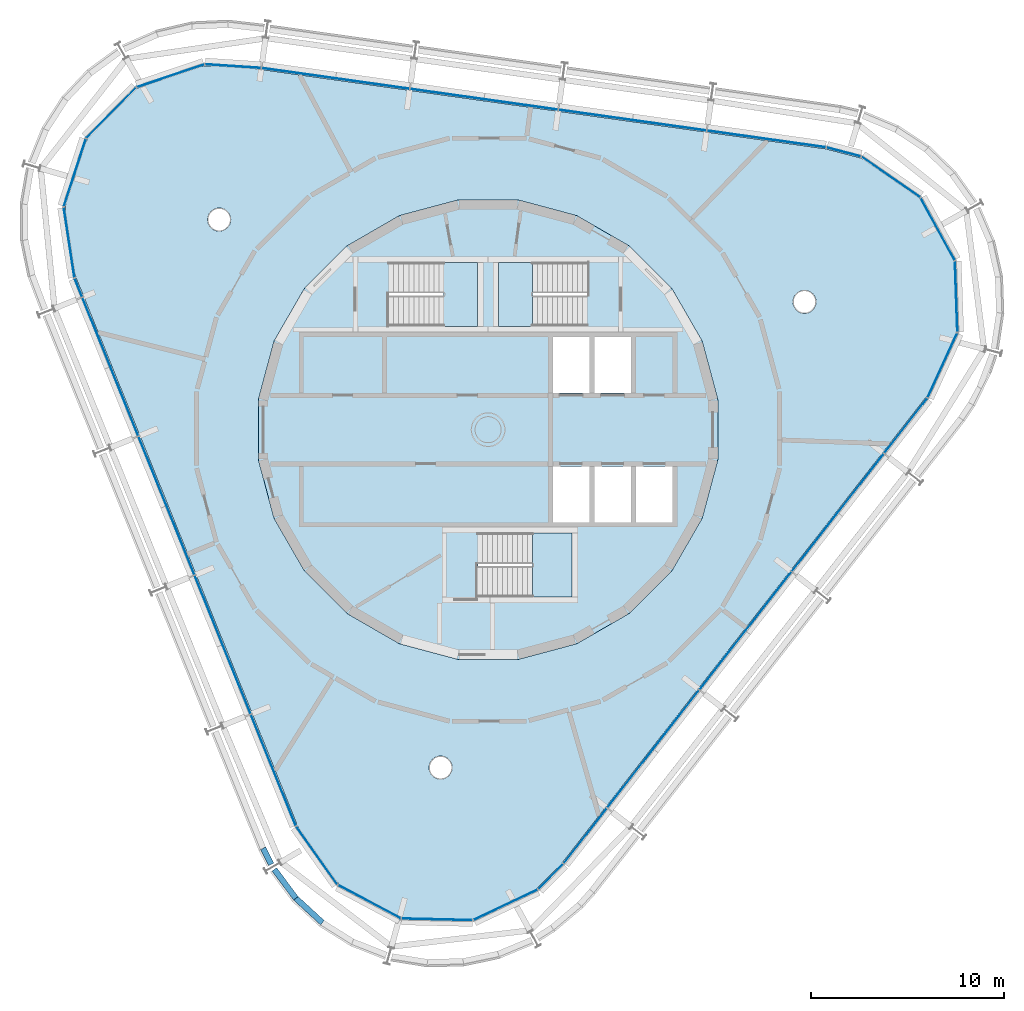
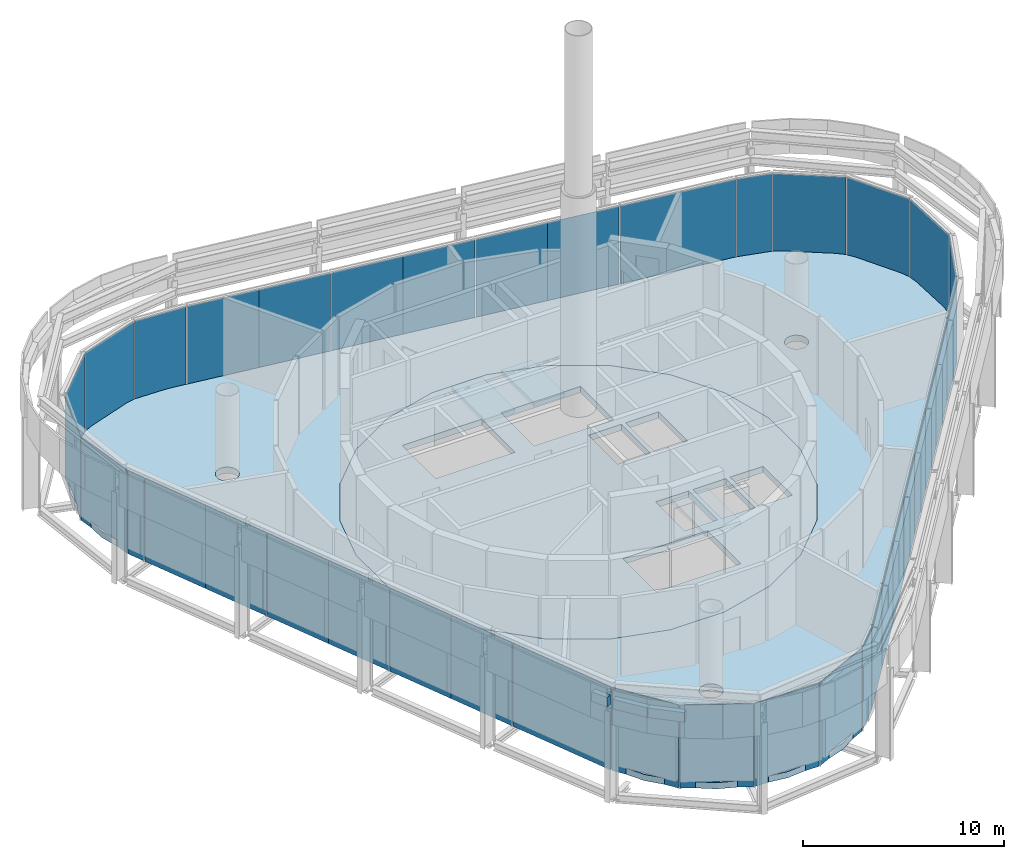
# One storey, part 8 of 15: 38 plates, 5 slabs, 3 walls, 9 elements without a shape of their own.
"""IFC4 building model written with IfcOpenShell, lengths in metres."""

from ifc_helpers import new_model, si_unit, direction, frame, frame_2d, origin, origin_2d, place, context, subcontext, project, spatial, polyline, rectangle, outline, extrude, material, layer, layer_set, type_object, element, aggregate, save


model = new_model("IFC4")

# Units and contexts
model_context = context("Model", 3, precision=1e-05, world=origin(), true_north=direction((0.0, 1.0)))
body_context = subcontext(model_context, "Body", "Model", "MODEL_VIEW")
ifc_project = project(units=[si_unit("LENGTHUNIT", "METRE"), si_unit("AREAUNIT", "SQUARE_METRE"), si_unit("VOLUMEUNIT", "CUBIC_METRE"), si_unit("PLANEANGLEUNIT", "RADIAN"), si_unit("MASSUNIT", "GRAM", prefix="KILO")], contexts=[model_context])

# Site, building, storey
site_placement = place(None, origin())
site = spatial("IfcSite", under=ifc_project, at=site_placement, CompositionType="ELEMENT")
building_placement = place(site_placement, origin())
building = spatial("IfcBuilding", under=site, at=building_placement, Name="Spindle Arch Residences", CompositionType="ELEMENT")
storey_placement = place(building_placement, frame((0.0, 0.0, 366.199951171875)))
storey = spatial("IfcBuildingStorey", under=building, at=storey_placement, Name="L94", CompositionType="ELEMENT", Elevation=366.199951171875)

# Slab
ifc_material_1 = material(Name="Concrete C50/60", Category="concrete")
ifc_layer_1 = layer(ifc_material_1, 0.3798828125)
ifc_layer_set_1 = layer_set([ifc_layer_1], Name="Core floor slab 380")
slab_type_1 = type_object("IfcSlabType", Name="Core floor slab 380", PredefinedType="FLOOR", material=ifc_layer_set_1)
slab_1_placement = place(storey_placement, frame((0.0, 0.0, -0.3798828125)))
element("IfcSlab", 1, at=slab_1_placement, inside=storey, type_object=slab_type_1, Name="Core floor L94", PredefinedType="FLOOR", context=body_context, shape_type="SweptSolid", body=[
    extrude(outline(polyline([(1.56640625, -11.897216796875), (4.59228515625, -11.086669921875), (7.30517578125, -9.520263671875), (9.520263671875, -7.30517578125), (11.086669921875, -4.59228515625), (11.897216796875, -1.56640625), (11.897216796875, 1.56640625), (11.086669921875, 4.59228515625), (9.520263671875, 7.30517578125), (7.30517578125, 9.520263671875), (4.59228515625, 11.086669921875), (1.56640625, 11.897216796875), (-1.56640625, 11.897216796875), (-4.59228515625, 11.086669921875), (-7.30517578125, 9.520263671875), (-9.520263671875, 7.30517578125), (-11.086669921875, 4.59228515625), (-11.897216796875, 1.56640625), (-11.897216796875, -1.56640625), (-11.086669921875, -4.59228515625), (-9.520263671875, -7.30517578125), (-7.30517578125, -9.520263671875), (-4.59228515625, -11.086669921875), (-1.56640625, -11.897216796875), (1.56640625, -11.897216796875)]), holes=[polyline([(3.35009765625, 1.89990234375), (5.25, 1.89990234375), (5.25, 4.800048828125), (3.35009765625, 4.800048828125), (3.35009765625, 1.89990234375)]), polyline([(5.5, 1.89990234375), (7.39990234375, 1.89990234375), (7.39990234375, 4.800048828125), (5.5, 4.800048828125), (5.5, 1.89990234375)]), polyline([(3.35009765625, -4.800048828125), (5.25, -4.800048828125), (5.25, -1.89990234375), (3.35009765625, -1.89990234375), (3.35009765625, -4.800048828125)]), polyline([(5.5, -4.800048828125), (7.39990234375, -4.800048828125), (7.39990234375, -1.89990234375), (5.5, -1.89990234375), (5.5, -4.800048828125)]), polyline([(7.64990234375, -4.800048828125), (9.550048828125, -4.800048828125), (9.550048828125, -1.89990234375), (7.64990234375, -1.89990234375), (7.64990234375, -4.800048828125)]), polyline([(5.1298828125, 8.669921875), (0.550048828125, 8.669921875), (0.550048828125, 5.35009765625), (5.1298828125, 5.35009765625), (5.1298828125, 8.669921875)]), polyline([(-5.1298828125, 5.35009765625), (-0.550048828125, 5.35009765625), (-0.550048828125, 8.669921875), (-5.1298828125, 8.669921875), (-5.1298828125, 5.35009765625)]), polyline([(-0.530029296875, -8.669921875), (4.35009765625, -8.669921875), (4.35009765625, -5.35009765625), (-0.530029296875, -5.35009765625), (-0.530029296875, -8.669921875)])]), origin(), (0.0, 0.0, 1.0), 0.3798828125),
])

# Stair, slab
ifc_material_2 = material(Name="Concrete C50/60", Category="concrete")
stair_type = type_object("IfcStairType", Name="Exit stair 24 risers", PredefinedType="HALF_TURN_STAIR", material=ifc_material_2)
stair_1_placement = place(storey_placement, origin())
stair_1 = element("IfcStair", 2, at=stair_1_placement, inside=storey, type_object=stair_type, Name="L94 Exit stair ST1", PredefinedType="HALF_TURN_STAIR")
ifc_material_3 = material(Name="Concrete C50/60", Category="concrete")
ifc_layer_2 = layer(ifc_material_3, 0.219970703125)
ifc_layer_set_2 = layer_set([ifc_layer_2], Name="Exit stair landing 220")
slab_type_2 = type_object("IfcSlabType", Name="Exit stair landing 220", PredefinedType="LANDING", material=ifc_layer_set_2)
slab_2_placement = place(storey_placement, frame((0.0, 0.0, 2.380126953125)))
slab_2 = element("IfcSlab", 3, at=slab_2_placement, type_object=slab_type_2, Name="ST1 landing 1", PredefinedType="LANDING", context=body_context, shape_type="SweptSolid", body=[
    extrude(outline(polyline([(2.31005859375, 8.669921875), (0.550048828125, 8.669921875), (0.550048828125, 5.35009765625), (2.31005859375, 5.35009765625), (2.31005859375, 8.669921875)])), origin(), (0.0, 0.0, 1.0), 0.219970703125),
])
aggregate(stair_1, [slab_2])

stair_2_placement = place(storey_placement, origin())
stair_2 = element("IfcStair", 4, at=stair_2_placement, inside=storey, type_object=stair_type, Name="L94 Exit stair ST2", PredefinedType="HALF_TURN_STAIR")
slab_3_placement = place(storey_placement, frame((0.0, 0.0, 2.380126953125)))
slab_3 = element("IfcSlab", 5, at=slab_3_placement, type_object=slab_type_2, Name="ST2 landing 1", PredefinedType="LANDING", context=body_context, shape_type="SweptSolid", body=[
    extrude(outline(polyline([(-2.31005859375, 5.35009765625), (-0.550048828125, 5.35009765625), (-0.550048828125, 8.669921875), (-2.31005859375, 8.669921875), (-2.31005859375, 5.35009765625)])), origin(), (0.0, 0.0, 1.0), 0.219970703125),
])
aggregate(stair_2, [slab_3])

stair_3_placement = place(storey_placement, origin())
stair_3 = element("IfcStair", 6, at=stair_3_placement, inside=storey, type_object=stair_type, Name="L94 Exit stair ST3", PredefinedType="HALF_TURN_STAIR")
slab_4_placement = place(storey_placement, frame((0.0, 0.0, 2.380126953125)))
slab_4 = element("IfcSlab", 7, at=slab_4_placement, type_object=slab_type_2, Name="ST3 landing 1", PredefinedType="LANDING", context=body_context, shape_type="SweptSolid", body=[
    extrude(outline(polyline([(2.2900390625, -8.669921875), (4.35009765625, -8.669921875), (4.35009765625, -5.35009765625), (2.2900390625, -5.35009765625), (2.2900390625, -8.669921875)])), origin(), (0.0, 0.0, 1.0), 0.219970703125),
])
aggregate(stair_3, [slab_4])

# Slab
ifc_material_4 = material(Name="Concrete C40/50", Category="concrete")
ifc_layer_3 = layer(ifc_material_4, 0.3798828125)
ifc_layer_set_3 = layer_set([ifc_layer_3], Name="Floor slab 380")
slab_type_3 = type_object("IfcSlabType", Name="Floor slab 380", PredefinedType="FLOOR", material=ifc_layer_set_3)
slab_5_placement = place(storey_placement, frame((0.0, 0.0, -0.3798828125)))
element("IfcSlab", 8, at=slab_5_placement, inside=storey, type_object=slab_type_3, Name="Floor slab L94", PredefinedType="FLOOR", context=body_context, shape_type="SweptSolid", body=[
    extrude(outline(polyline([(2.5380859375, -23.751220703125), (0.962890625, -24.735595703125), (-0.796875, -25.330078125), (-2.646240234375, -25.502685546875), (-4.485595703125, -25.244140625), (-6.2158203125, -24.568359375), (-7.74365234375, -23.511962890625), (-8.986572265625, -22.131591796875), (-9.877685546875, -20.501708984375), (-21.346923828125, 7.885986328125), (-21.838134765625, 9.677490234375), (-21.903076171875, 11.53369140625), (-21.5380859375, 13.35498046875), (-20.7626953125, 15.043212890625), (-19.619140625, 16.5068359375), (-18.1689453125, 17.667236328125), (-16.489990234375, 18.462158203125), (-14.673095703125, 18.848388671875), (-12.816162109375, 18.80517578125), (17.503173828125, 14.5439453125), (19.300048828125, 14.07373046875), (20.940185546875, 13.20166015625), (22.334716796875, 11.974853515625), (23.4091796875, 10.459716796875), (24.10498046875, 8.7373046875), (24.384765625, 6.901123046875), (24.233642578125, 5.0498046875), (23.65966796875, 3.283203125), (22.69384765625, 1.696533203125), (13.268798828125, -10.36669921875), (3.843994140625, -22.43017578125), (2.5380859375, -23.751220703125)]), holes=[polyline([(7.30517578125, -9.520263671875), (9.520263671875, -7.30517578125), (11.086669921875, -4.59228515625), (11.897216796875, -1.56640625), (11.897216796875, 1.56640625), (11.086669921875, 4.59228515625), (9.520263671875, 7.30517578125), (7.30517578125, 9.520263671875), (4.59228515625, 11.086669921875), (1.56640625, 11.897216796875), (-1.56640625, 11.897216796875), (-4.59228515625, 11.086669921875), (-7.30517578125, 9.520263671875), (-9.520263671875, 7.30517578125), (-11.086669921875, 4.59228515625), (-11.897216796875, 1.56640625), (-11.897216796875, -1.56640625), (-11.086669921875, -4.59228515625), (-9.520263671875, -7.30517578125), (-7.30517578125, -9.520263671875), (-4.59228515625, -11.086669921875), (-1.56640625, -11.897216796875), (1.56640625, -11.897216796875), (4.59228515625, -11.086669921875), (7.30517578125, -9.520263671875)]), polyline([(-1.961181640625, -17.838134765625), (-1.90576171875, -17.734375), (-1.87158203125, -17.621826171875), (-1.860107421875, -17.5048828125), (-1.87158203125, -17.3876953125), (-1.90576171875, -17.275146484375), (-1.961181640625, -17.17138671875), (-2.035888671875, -17.08056640625), (-2.126708984375, -17.005859375), (-2.23046875, -16.950439453125), (-2.343017578125, -16.916259765625), (-2.460205078125, -16.90478515625), (-2.5771484375, -16.916259765625), (-2.689697265625, -16.950439453125), (-2.79345703125, -17.005859375), (-2.884521484375, -17.08056640625), (-2.958984375, -17.17138671875), (-3.014404296875, -17.275146484375), (-3.048583984375, -17.3876953125), (-3.06005859375, -17.5048828125), (-3.048583984375, -17.621826171875), (-3.014404296875, -17.734375), (-2.958984375, -17.838134765625), (-2.884521484375, -17.92919921875), (-2.79345703125, -18.003662109375), (-2.689697265625, -18.05908203125), (-2.5771484375, -18.09326171875), (-2.460205078125, -18.104736328125), (-2.343017578125, -18.09326171875), (-2.23046875, -18.05908203125), (-2.126708984375, -18.003662109375), (-2.035888671875, -17.92919921875), (-1.961181640625, -17.838134765625)]), polyline([(-13.505126953125, 10.458740234375), (-13.4306640625, 10.5498046875), (-13.375244140625, 10.6533203125), (-13.341064453125, 10.765869140625), (-13.32958984375, 10.883056640625), (-13.341064453125, 11.0), (-13.375244140625, 11.112548828125), (-13.4306640625, 11.21630859375), (-13.505126953125, 11.307373046875), (-13.59619140625, 11.3818359375), (-13.699951171875, 11.437255859375), (-13.8125, 11.471435546875), (-13.929443359375, 11.48291015625), (-14.046630859375, 11.471435546875), (-14.1591796875, 11.437255859375), (-14.2626953125, 11.3818359375), (-14.353759765625, 11.307373046875), (-14.428466796875, 11.21630859375), (-14.48388671875, 11.112548828125), (-14.51806640625, 11.0), (-14.529541015625, 10.883056640625), (-14.51806640625, 10.765869140625), (-14.48388671875, 10.6533203125), (-14.428466796875, 10.5498046875), (-14.353759765625, 10.458740234375), (-14.2626953125, 10.384033203125), (-14.1591796875, 10.32861328125), (-14.046630859375, 10.29443359375), (-13.929443359375, 10.282958984375), (-13.8125, 10.29443359375), (-13.699951171875, 10.32861328125), (-13.59619140625, 10.384033203125), (-13.505126953125, 10.458740234375)]), polyline([(16.81396484375, 6.197509765625), (16.888671875, 6.28857421875), (16.944091796875, 6.392333984375), (16.978271484375, 6.5048828125), (16.98974609375, 6.621826171875), (16.978271484375, 6.739013671875), (16.944091796875, 6.8515625), (16.888671875, 6.955078125), (16.81396484375, 7.046142578125), (16.722900390625, 7.120849609375), (16.619384765625, 7.17626953125), (16.5068359375, 7.21044921875), (16.3896484375, 7.221923828125), (16.272705078125, 7.21044921875), (16.16015625, 7.17626953125), (16.056396484375, 7.120849609375), (15.96533203125, 7.046142578125), (15.890869140625, 6.955078125), (15.83544921875, 6.8515625), (15.80126953125, 6.739013671875), (15.789794921875, 6.621826171875), (15.80126953125, 6.5048828125), (15.83544921875, 6.392333984375), (15.890869140625, 6.28857421875), (15.96533203125, 6.197509765625), (16.056396484375, 6.123046875), (16.16015625, 6.067626953125), (16.272705078125, 6.033447265625), (16.3896484375, 6.02197265625), (16.5068359375, 6.033447265625), (16.619384765625, 6.067626953125), (16.722900390625, 6.123046875), (16.81396484375, 6.197509765625)])]), origin(), (0.0, 0.0, 1.0), 0.3798828125),
])

# Curtain wall, plates
ifc_material_5 = material(Name="Aluminium bronze unitised frame with tinted glass", Category="aluminium")
ifc_layer_4 = layer(ifc_material_5, 0.159912109375)
ifc_layer_set_4 = layer_set([ifc_layer_4], Name="CW-F crown plant glazed wall")
curtain_wall_type = type_object("IfcCurtainWallType", Name="CW-F crown plant glazed wall", PredefinedType="NOTDEFINED", material=ifc_layer_set_4)
curtain_wall_1_placement = place(storey_placement, origin())
curtain_wall_1 = element("IfcCurtainWall", 9, at=curtain_wall_1_placement, inside=storey, type_object=curtain_wall_type, Name="CW-F L94 run 1", PredefinedType="NOTDEFINED")
ifc_material_6 = material(Name="Tinted laminated glass 28 mm", Category="glass")
ifc_layer_5 = layer(ifc_material_6, 0.028076171875)
ifc_layer_set_5 = layer_set([ifc_layer_5], Name="Tinted glass panel 28 mm")
plate_type = type_object("IfcPlateType", Name="Tinted glass panel 28 mm", PredefinedType="CURTAIN_PANEL", material=ifc_layer_set_5)
plate_1_placement = place(storey_placement, frame((21.630126953125, 0.205078125, -0.3798828125), z_axis=(0.0, 0.0, 1.0), x_axis=(0.615661475326, 0.788010753607, 0.0)))
plate_1 = element("IfcPlate", 10, at=plate_1_placement, type_object=plate_type, Name="CW-F unit 00", PredefinedType="CURTAIN_PANEL", context=body_context, shape_type="SweptSolid", body=[
    extrude(rectangle(XDim=3.60009765625, YDim=0.028076171875, at=origin_2d()), origin(), (0.0, 0.0, 1.0), 5.06005859375),
])
plate_2_placement = place(storey_placement, frame((23.534423828125, 3.340576171875, -0.3798828125), z_axis=(0.0, 0.0, 1.0), x_axis=(0.417338452362, 0.908751129947, 0.0)))
plate_2 = element("IfcPlate", 11, at=plate_2_placement, type_object=plate_type, Name="CW-F unit 01", PredefinedType="CURTAIN_PANEL", context=body_context, shape_type="SweptSolid", body=[
    extrude(rectangle(XDim=3.666748046875, YDim=0.028076171875, at=origin_2d()), origin(), (0.0, 0.0, 1.0), 5.06005859375),
])
plate_3_placement = place(storey_placement, frame((24.2470703125, 6.896240234375, -0.3798828125), z_axis=(0.0, 0.0, 1.0), x_axis=(-0.034899497139, 0.999390827004, 0.0)))
plate_3 = element("IfcPlate", 12, at=plate_3_placement, type_object=plate_type, Name="CW-F unit 02", PredefinedType="CURTAIN_PANEL", context=body_context, shape_type="SweptSolid", body=[
    extrude(rectangle(XDim=3.666748046875, YDim=0.028076171875, at=origin_2d()), origin(), (0.0, 0.0, 1.0), 5.06005859375),
])
plate_4_placement = place(storey_placement, frame((23.2880859375, 10.3935546875, -0.3798828125), z_axis=(0.0, 0.0, 1.0), x_axis=(-0.479713114021, 0.877425397533, 0.0)))
plate_4 = element("IfcPlate", 13, at=plate_4_placement, type_object=plate_type, Name="CW-F unit 03", PredefinedType="CURTAIN_PANEL", context=body_context, shape_type="SweptSolid", body=[
    extrude(rectangle(XDim=3.666748046875, YDim=0.028076171875, at=origin_2d()), origin(), (0.0, 0.0, 1.0), 5.06005859375),
])
plate_5_placement = place(storey_placement, frame((20.86181640625, 13.08837890625, -0.3798828125), z_axis=(0.0, 0.0, 1.0), x_axis=(-0.822475094841, 0.568801123739, 0.0)))
plate_5 = element("IfcPlate", 14, at=plate_5_placement, type_object=plate_type, Name="CW-F unit 04", PredefinedType="CURTAIN_PANEL", context=body_context, shape_type="SweptSolid", body=[
    extrude(rectangle(XDim=3.666748046875, YDim=0.028076171875, at=origin_2d()), origin(), (0.0, 0.0, 1.0), 5.06005859375),
])
plate_6_placement = place(storey_placement, frame((18.421630859375, 14.3857421875, -0.3798828125), z_axis=(0.0, 0.0, 1.0), x_axis=(-0.967415218326, 0.25319517245, 0.0)))
plate_6 = element("IfcPlate", 15, at=plate_6_placement, type_object=plate_type, Name="CW-F unit 05", PredefinedType="CURTAIN_PANEL", context=body_context, shape_type="SweptSolid", body=[
    extrude(rectangle(XDim=1.816162109375, YDim=0.028076171875, at=origin_2d()), origin(), (0.0, 0.0, 1.0), 5.06005859375),
])
plate_7_placement = place(storey_placement, frame((14.420166015625, 15.05810546875, -0.3798828125), z_axis=(0.0, 0.0, 1.0), x_axis=(-0.990268068742, 0.13917310096, 0.0)))
plate_7 = element("IfcPlate", 16, at=plate_7_placement, type_object=plate_type, Name="CW-F unit 06", PredefinedType="CURTAIN_PANEL", context=body_context, shape_type="SweptSolid", body=[
    extrude(rectangle(XDim=6.188720703125, YDim=0.028076171875, at=origin_2d()), origin(), (0.0, 0.0, 1.0), 5.06005859375),
])
aggregate(curtain_wall_1, [plate_1, plate_2, plate_3, plate_4, plate_5, plate_6, plate_7])

curtain_wall_2_placement = place(storey_placement, origin())
curtain_wall_2 = element("IfcCurtainWall", 17, at=curtain_wall_2_placement, inside=storey, type_object=curtain_wall_type, Name="CW-F L94 run 2", PredefinedType="NOTDEFINED")
plate_8_placement = place(storey_placement, frame((9.388916015625, 15.76513671875, -0.3798828125), z_axis=(0.0, 0.0, 1.0), x_axis=(-0.990268068742, 0.13917310096, 0.0)))
plate_8 = element("IfcPlate", 18, at=plate_8_placement, type_object=plate_type, Name="CW-F unit 05A", PredefinedType="CURTAIN_PANEL", context=body_context, shape_type="SweptSolid", body=[
    extrude(rectangle(XDim=3.852783203125, YDim=0.028076171875, at=origin_2d()), origin(), (0.0, 0.0, 1.0), 5.06005859375),
])
plate_9_placement = place(storey_placement, frame((5.57373046875, 16.30126953125, -0.3798828125), z_axis=(0.0, 0.0, 1.0), x_axis=(-0.990268068742, 0.13917310096, 0.0)))
plate_9 = element("IfcPlate", 19, at=plate_9_placement, type_object=plate_type, Name="CW-F unit 05B", PredefinedType="CURTAIN_PANEL", context=body_context, shape_type="SweptSolid", body=[
    extrude(rectangle(XDim=3.852783203125, YDim=0.028076171875, at=origin_2d()), origin(), (0.0, 0.0, 1.0), 5.06005859375),
])
plate_10_placement = place(storey_placement, frame((1.698974609375, 16.845947265625, -0.3798828125), z_axis=(0.0, 0.0, 1.0), x_axis=(-0.990268068742, 0.13917310096, 0.0)))
plate_10 = element("IfcPlate", 20, at=plate_10_placement, type_object=plate_type, Name="CW-F unit 06A", PredefinedType="CURTAIN_PANEL", context=body_context, shape_type="SweptSolid", body=[
    extrude(rectangle(XDim=3.852783203125, YDim=0.028076171875, at=origin_2d()), origin(), (0.0, 0.0, 1.0), 5.06005859375),
])
plate_11_placement = place(storey_placement, frame((-2.116455078125, 17.382080078125, -0.3798828125), z_axis=(0.0, 0.0, 1.0), x_axis=(-0.990268068742, 0.13917310096, 0.0)))
plate_11 = element("IfcPlate", 21, at=plate_11_placement, type_object=plate_type, Name="CW-F unit 06B", PredefinedType="CURTAIN_PANEL", context=body_context, shape_type="SweptSolid", body=[
    extrude(rectangle(XDim=3.852783203125, YDim=0.028076171875, at=origin_2d()), origin(), (0.0, 0.0, 1.0), 5.06005859375),
])
plate_12_placement = place(storey_placement, frame((-5.9912109375, 17.9267578125, -0.3798828125), z_axis=(0.0, 0.0, 1.0), x_axis=(-0.990268068742, 0.13917310096, 0.0)))
plate_12 = element("IfcPlate", 22, at=plate_12_placement, type_object=plate_type, Name="CW-F unit 07A", PredefinedType="CURTAIN_PANEL", context=body_context, shape_type="SweptSolid", body=[
    extrude(rectangle(XDim=3.852783203125, YDim=0.028076171875, at=origin_2d()), origin(), (0.0, 0.0, 1.0), 5.06005859375),
])
plate_13_placement = place(storey_placement, frame((-9.806396484375, 18.462890625, -0.3798828125), z_axis=(0.0, 0.0, 1.0), x_axis=(-0.990268068742, 0.13917310096, 0.0)))
plate_13 = element("IfcPlate", 23, at=plate_13_placement, type_object=plate_type, Name="CW-F unit 07B", PredefinedType="CURTAIN_PANEL", context=body_context, shape_type="SweptSolid", body=[
    extrude(rectangle(XDim=3.852783203125, YDim=0.028076171875, at=origin_2d()), origin(), (0.0, 0.0, 1.0), 5.06005859375),
])
aggregate(curtain_wall_2, [plate_8, plate_9, plate_10, plate_11, plate_12, plate_13])

curtain_wall_3_placement = place(storey_placement, origin())
curtain_wall_3 = element("IfcCurtainWall", 24, at=curtain_wall_3_placement, inside=storey, type_object=curtain_wall_type, Name="CW-F L94 run 3", PredefinedType="NOTDEFINED")
plate_14_placement = place(storey_placement, frame((-13.212158203125, 18.83154296875, -0.3798828125), z_axis=(0.0, 0.0, 1.0), x_axis=(-0.99785193122, 0.065509719587, 0.0)))
plate_14 = element("IfcPlate", 25, at=plate_14_placement, type_object=plate_type, Name="CW-F unit 00", PredefinedType="CURTAIN_PANEL", context=body_context, shape_type="SweptSolid", body=[
    extrude(rectangle(XDim=2.883056640625, YDim=0.028076171875, at=origin_2d()), origin(), (0.0, 0.0, 1.0), 5.06005859375),
])
plate_15_placement = place(storey_placement, frame((-16.446044921875, 18.33154296875, -0.3798828125), z_axis=(0.0, 0.0, 1.0), x_axis=(-0.947396640541, -0.320061877599, 0.0)))
plate_15 = element("IfcPlate", 26, at=plate_15_placement, type_object=plate_type, Name="CW-F unit 01", PredefinedType="CURTAIN_PANEL", context=body_context, shape_type="SweptSolid", body=[
    extrude(rectangle(XDim=3.666748046875, YDim=0.028076171875, at=origin_2d()), origin(), (0.0, 0.0, 1.0), 5.06005859375),
])
plate_16_placement = place(storey_placement, frame((-19.521240234375, 16.409912109375, -0.3798828125), z_axis=(0.0, 0.0, 1.0), x_axis=(-0.702981055369, -0.711208574043, 0.0)))
plate_16 = element("IfcPlate", 27, at=plate_16_placement, type_object=plate_type, Name="CW-F unit 02", PredefinedType="CURTAIN_PANEL", context=body_context, shape_type="SweptSolid", body=[
    extrude(rectangle(XDim=3.666748046875, YDim=0.028076171875, at=origin_2d()), origin(), (0.0, 0.0, 1.0), 5.06005859375),
])
plate_17_placement = place(storey_placement, frame((-21.406982421875, 13.3125, -0.3798828125), z_axis=(0.0, 0.0, 1.0), x_axis=(-0.309016990673, -0.951056517498, 0.0)))
plate_17 = element("IfcPlate", 28, at=plate_17_placement, type_object=plate_type, Name="CW-F unit 03", PredefinedType="CURTAIN_PANEL", context=body_context, shape_type="SweptSolid", body=[
    extrude(rectangle(XDim=3.666748046875, YDim=0.028076171875, at=origin_2d()), origin(), (0.0, 0.0, 1.0), 5.06005859375),
])
plate_18_placement = place(storey_placement, frame((-21.701904296875, 9.6982421875, -0.3798828125), z_axis=(0.0, 0.0, 1.0), x_axis=(0.150685718984, -0.988581718471, 0.0)))
plate_18 = element("IfcPlate", 29, at=plate_18_placement, type_object=plate_type, Name="CW-F unit 04", PredefinedType="CURTAIN_PANEL", context=body_context, shape_type="SweptSolid", body=[
    extrude(rectangle(XDim=3.666748046875, YDim=0.028076171875, at=origin_2d()), origin(), (0.0, 0.0, 1.0), 5.06005859375),
])
plate_19_placement = place(storey_placement, frame((-21.220458984375, 7.359375, -0.3798828125), z_axis=(0.0, 0.0, 1.0), x_axis=(0.374606593416, -0.927183854567, 0.0)))
plate_19 = element("IfcPlate", 30, at=plate_19_placement, type_object=plate_type, Name="CW-F unit 05", PredefinedType="CURTAIN_PANEL", context=body_context, shape_type="SweptSolid", body=[
    extrude(rectangle(XDim=1.01171875, YDim=0.028076171875, at=origin_2d()), origin(), (0.0, 0.0, 1.0), 5.06005859375),
])
aggregate(curtain_wall_3, [plate_14, plate_15, plate_16, plate_17, plate_18, plate_19])

curtain_wall_4_placement = place(storey_placement, origin())
curtain_wall_4 = element("IfcCurtainWall", 31, at=curtain_wall_4_placement, inside=storey, type_object=curtain_wall_type, Name="CW-F L94 run 4", PredefinedType="NOTDEFINED")
plate_20_placement = place(storey_placement, frame((-20.286865234375, 5.048583984375, -0.3798828125), z_axis=(0.0, 0.0, 1.0), x_axis=(0.374606593416, -0.927183854567, 0.0)))
plate_20 = element("IfcPlate", 32, at=plate_20_placement, type_object=plate_type, Name="CW-F unit 11A", PredefinedType="CURTAIN_PANEL", context=body_context, shape_type="SweptSolid", body=[
    extrude(rectangle(XDim=3.852783203125, YDim=0.028076171875, at=origin_2d()), origin(), (0.0, 0.0, 1.0), 5.06005859375),
])
plate_21_placement = place(storey_placement, frame((-18.843505859375, 1.476318359375, -0.3798828125), z_axis=(0.0, 0.0, 1.0), x_axis=(0.374606593416, -0.927183854567, 0.0)))
plate_21 = element("IfcPlate", 33, at=plate_21_placement, type_object=plate_type, Name="CW-F unit 11B", PredefinedType="CURTAIN_PANEL", context=body_context, shape_type="SweptSolid", body=[
    extrude(rectangle(XDim=3.852783203125, YDim=0.028076171875, at=origin_2d()), origin(), (0.0, 0.0, 1.0), 5.06005859375),
])
plate_22_placement = place(storey_placement, frame((-17.377685546875, -2.151611328125, -0.3798828125), z_axis=(0.0, 0.0, 1.0), x_axis=(0.374606593416, -0.927183854567, 0.0)))
plate_22 = element("IfcPlate", 34, at=plate_22_placement, type_object=plate_type, Name="CW-F unit 12A", PredefinedType="CURTAIN_PANEL", context=body_context, shape_type="SweptSolid", body=[
    extrude(rectangle(XDim=3.852783203125, YDim=0.028076171875, at=origin_2d()), origin(), (0.0, 0.0, 1.0), 5.06005859375),
])
plate_23_placement = place(storey_placement, frame((-15.9345703125, -5.723876953125, -0.3798828125), z_axis=(0.0, 0.0, 1.0), x_axis=(0.374606593416, -0.927183854567, 0.0)))
plate_23 = element("IfcPlate", 35, at=plate_23_placement, type_object=plate_type, Name="CW-F unit 12B", PredefinedType="CURTAIN_PANEL", context=body_context, shape_type="SweptSolid", body=[
    extrude(rectangle(XDim=3.852783203125, YDim=0.028076171875, at=origin_2d()), origin(), (0.0, 0.0, 1.0), 5.06005859375),
])
plate_24_placement = place(storey_placement, frame((-14.46875, -9.351806640625, -0.3798828125), z_axis=(0.0, 0.0, 1.0), x_axis=(0.374606593416, -0.927183854567, 0.0)))
plate_24 = element("IfcPlate", 36, at=plate_24_placement, type_object=plate_type, Name="CW-F unit 13A", PredefinedType="CURTAIN_PANEL", context=body_context, shape_type="SweptSolid", body=[
    extrude(rectangle(XDim=3.852783203125, YDim=0.028076171875, at=origin_2d()), origin(), (0.0, 0.0, 1.0), 5.06005859375),
])
plate_25_placement = place(storey_placement, frame((-13.025390625, -12.924072265625, -0.3798828125), z_axis=(0.0, 0.0, 1.0), x_axis=(0.374606593416, -0.927183854567, 0.0)))
plate_25 = element("IfcPlate", 37, at=plate_25_placement, type_object=plate_type, Name="CW-F unit 13B", PredefinedType="CURTAIN_PANEL", context=body_context, shape_type="SweptSolid", body=[
    extrude(rectangle(XDim=3.852783203125, YDim=0.028076171875, at=origin_2d()), origin(), (0.0, 0.0, 1.0), 5.06005859375),
])
aggregate(curtain_wall_4, [plate_20, plate_21, plate_22, plate_23, plate_24, plate_25])

curtain_wall_5_placement = place(storey_placement, origin())
curtain_wall_5 = element("IfcCurtainWall", 38, at=curtain_wall_5_placement, inside=storey, type_object=curtain_wall_type, Name="CW-F L94 run 5", PredefinedType="NOTDEFINED")
plate_26_placement = place(storey_placement, frame((-11.122314453125, -17.634765625, -0.3798828125), z_axis=(0.0, 0.0, 1.0), x_axis=(0.374606593416, -0.927183854567, 0.0)))
plate_26 = element("IfcPlate", 39, at=plate_26_placement, type_object=plate_type, Name="CW-F unit 00", PredefinedType="CURTAIN_PANEL", context=body_context, shape_type="SweptSolid", body=[
    extrude(rectangle(XDim=6.188720703125, YDim=0.028076171875, at=origin_2d()), origin(), (0.0, 0.0, 1.0), 5.06005859375),
])
plate_27_placement = place(storey_placement, frame((-8.8740234375, -22.0517578125, -0.3798828125), z_axis=(0.0, 0.0, 1.0), x_axis=(0.578332338584, -0.815801266332, 0.0)))
plate_27 = element("IfcPlate", 40, at=plate_27_placement, type_object=plate_type, Name="CW-F unit 01", PredefinedType="CURTAIN_PANEL", context=body_context, shape_type="SweptSolid", body=[
    extrude(rectangle(XDim=3.666748046875, YDim=0.028076171875, at=origin_2d()), origin(), (0.0, 0.0, 1.0), 5.06005859375),
])
plate_28_placement = place(storey_placement, frame((-6.151123046875, -24.44677734375, -0.3798828125), z_axis=(0.0, 0.0, 1.0), x_axis=(0.882947592408, -0.469471563633, 0.0)))
plate_28 = element("IfcPlate", 41, at=plate_28_placement, type_object=plate_type, Name="CW-F unit 02", PredefinedType="CURTAIN_PANEL", context=body_context, shape_type="SweptSolid", body=[
    extrude(rectangle(XDim=3.666748046875, YDim=0.028076171875, at=origin_2d()), origin(), (0.0, 0.0, 1.0), 5.06005859375),
])
plate_29_placement = place(storey_placement, frame((-2.64306640625, -25.364990234375, -0.3798828125), z_axis=(0.0, 0.0, 1.0), x_axis=(0.999729241109, -0.023268959422, 0.0)))
plate_29 = element("IfcPlate", 42, at=plate_29_placement, type_object=plate_type, Name="CW-F unit 03", PredefinedType="CURTAIN_PANEL", context=body_context, shape_type="SweptSolid", body=[
    extrude(rectangle(XDim=3.666748046875, YDim=0.028076171875, at=origin_2d()), origin(), (0.0, 0.0, 1.0), 5.06005859375),
])
plate_30_placement = place(storey_placement, frame((0.904052734375, -24.61083984375, -0.3798828125), z_axis=(0.0, 0.0, 1.0), x_axis=(0.903833768547, 0.427883767902, 0.0)))
plate_30 = element("IfcPlate", 43, at=plate_30_placement, type_object=plate_type, Name="CW-F unit 04", PredefinedType="CURTAIN_PANEL", context=body_context, shape_type="SweptSolid", body=[
    extrude(rectangle(XDim=3.666748046875, YDim=0.028076171875, at=origin_2d()), origin(), (0.0, 0.0, 1.0), 5.06005859375),
])
plate_31_placement = place(storey_placement, frame((3.24755859375, -23.146484375, -0.3798828125), z_axis=(0.0, 0.0, 1.0), x_axis=(0.702981053644, 0.711208575748, 0.0)))
plate_31 = element("IfcPlate", 44, at=plate_31_placement, type_object=plate_type, Name="CW-F unit 05", PredefinedType="CURTAIN_PANEL", context=body_context, shape_type="SweptSolid", body=[
    extrude(rectangle(XDim=1.816162109375, YDim=0.028076171875, at=origin_2d()), origin(), (0.0, 0.0, 1.0), 5.06005859375),
])
plate_32_placement = place(storey_placement, frame((5.03369140625, -21.037109375, -0.3798828125), z_axis=(0.0, 0.0, 1.0), x_axis=(0.615661475326, 0.788010753607, 0.0)))
plate_32 = element("IfcPlate", 45, at=plate_32_placement, type_object=plate_type, Name="CW-F unit 06", PredefinedType="CURTAIN_PANEL", context=body_context, shape_type="SweptSolid", body=[
    extrude(rectangle(XDim=3.60009765625, YDim=0.028076171875, at=origin_2d()), origin(), (0.0, 0.0, 1.0), 5.06005859375),
])
aggregate(curtain_wall_5, [plate_26, plate_27, plate_28, plate_29, plate_30, plate_31, plate_32])

curtain_wall_6_placement = place(storey_placement, origin())
curtain_wall_6 = element("IfcCurtainWall", 46, at=curtain_wall_6_placement, inside=storey, type_object=curtain_wall_type, Name="CW-F L94 run 6", PredefinedType="NOTDEFINED")
plate_33_placement = place(storey_placement, frame((7.364990234375, -18.053466796875, -0.3798828125), z_axis=(0.0, 0.0, 1.0), x_axis=(0.615661475326, 0.788010753607, 0.0)))
plate_33 = element("IfcPlate", 47, at=plate_33_placement, type_object=plate_type, Name="CW-F unit 18A", PredefinedType="CURTAIN_PANEL", context=body_context, shape_type="SweptSolid", body=[
    extrude(rectangle(XDim=3.852783203125, YDim=0.028076171875, at=origin_2d()), origin(), (0.0, 0.0, 1.0), 5.06005859375),
])
plate_34_placement = place(storey_placement, frame((9.73681640625, -15.017333984375, -0.3798828125), z_axis=(0.0, 0.0, 1.0), x_axis=(0.615661475326, 0.788010753607, 0.0)))
plate_34 = element("IfcPlate", 48, at=plate_34_placement, type_object=plate_type, Name="CW-F unit 18B", PredefinedType="CURTAIN_PANEL", context=body_context, shape_type="SweptSolid", body=[
    extrude(rectangle(XDim=3.852783203125, YDim=0.028076171875, at=origin_2d()), origin(), (0.0, 0.0, 1.0), 5.06005859375),
])
plate_35_placement = place(storey_placement, frame((12.14599609375, -11.93408203125, -0.3798828125), z_axis=(0.0, 0.0, 1.0), x_axis=(0.615661475326, 0.788010753607, 0.0)))
plate_35 = element("IfcPlate", 49, at=plate_35_placement, type_object=plate_type, Name="CW-F unit 19A", PredefinedType="CURTAIN_PANEL", context=body_context, shape_type="SweptSolid", body=[
    extrude(rectangle(XDim=3.852783203125, YDim=0.028076171875, at=origin_2d()), origin(), (0.0, 0.0, 1.0), 5.06005859375),
])
plate_36_placement = place(storey_placement, frame((14.517822265625, -8.89794921875, -0.3798828125), z_axis=(0.0, 0.0, 1.0), x_axis=(0.615661475326, 0.788010753607, 0.0)))
plate_36 = element("IfcPlate", 50, at=plate_36_placement, type_object=plate_type, Name="CW-F unit 19B", PredefinedType="CURTAIN_PANEL", context=body_context, shape_type="SweptSolid", body=[
    extrude(rectangle(XDim=3.852783203125, YDim=0.028076171875, at=origin_2d()), origin(), (0.0, 0.0, 1.0), 5.06005859375),
])
plate_37_placement = place(storey_placement, frame((16.9267578125, -5.814697265625, -0.3798828125), z_axis=(0.0, 0.0, 1.0), x_axis=(0.615661475326, 0.788010753607, 0.0)))
plate_37 = element("IfcPlate", 51, at=plate_37_placement, type_object=plate_type, Name="CW-F unit 00A", PredefinedType="CURTAIN_PANEL", context=body_context, shape_type="SweptSolid", body=[
    extrude(rectangle(XDim=3.852783203125, YDim=0.028076171875, at=origin_2d()), origin(), (0.0, 0.0, 1.0), 5.06005859375),
])
plate_38_placement = place(storey_placement, frame((19.298828125, -2.778564453125, -0.3798828125), z_axis=(0.0, 0.0, 1.0), x_axis=(0.615661475326, 0.788010753607, 0.0)))
plate_38 = element("IfcPlate", 52, at=plate_38_placement, type_object=plate_type, Name="CW-F unit 00B", PredefinedType="CURTAIN_PANEL", context=body_context, shape_type="SweptSolid", body=[
    extrude(rectangle(XDim=3.852783203125, YDim=0.028076171875, at=origin_2d()), origin(), (0.0, 0.0, 1.0), 5.06005859375),
])
aggregate(curtain_wall_6, [plate_33, plate_34, plate_35, plate_36, plate_37, plate_38])

# Walls
ifc_material_7 = material(Name="Concrete C40/50", Category="concrete")
ifc_layer_6 = layer(ifc_material_7, 0.300048828125)
ifc_layer_set_6 = layer_set([ifc_layer_6], Name="Crown parapet infill 580")
wall_type = type_object("IfcWallType", Name="Crown parapet infill 580", PredefinedType="PARAPET", material=ifc_layer_set_6)
wall_1_placement = place(storey_placement, frame((-11.6552734375, -21.683837890625, 5.199951171875), z_axis=(0.0, 0.0, 1.0), x_axis=(0.455850676056, -0.890056268524, 0.0)))
element("IfcWall", 53, at=wall_1_placement, inside=storey, type_object=wall_type, Name="Crown parapet infill 15.2", PredefinedType="PARAPET", context=body_context, shape_type="SweptSolid", body=[
    extrude(rectangle(XDim=0.936279296875, YDim=0.300048828125, at=frame_2d((0.46826171875, 0.0))), origin(), (0.0, 0.0, 1.0), 0.580078125),
])
wall_2_placement = place(storey_placement, frame((-11.075927734375, -22.775390625, 5.199951171875), z_axis=(0.0, 0.0, 1.0), x_axis=(0.598328331691, -0.801251026518, 0.0)))
element("IfcWall", 54, at=wall_2_placement, inside=storey, type_object=wall_type, Name="Crown parapet infill 16.1", PredefinedType="PARAPET", context=body_context, shape_type="SweptSolid", body=[
    extrude(rectangle(XDim=1.870849609375, YDim=0.300048828125, at=frame_2d((0.935546875, 0.0))), origin(), (0.0, 0.0, 1.0), 0.580078125),
])
wall_3_placement = place(storey_placement, frame((-9.9658203125, -24.263916015625, 5.199951171875), z_axis=(0.0, 0.0, 1.0), x_axis=(0.735256892579, -0.677788537757, 0.0)))
element("IfcWall", 55, at=wall_3_placement, inside=storey, type_object=wall_type, Name="Crown parapet infill 16.2", PredefinedType="PARAPET", context=body_context, shape_type="SweptSolid", body=[
    extrude(rectangle(XDim=1.877685546875, YDim=0.300048828125, at=frame_2d((0.93896484375, 0.0))), origin(), (0.0, 0.0, 1.0), 0.580078125),
])

save(model, "model.ifc")
